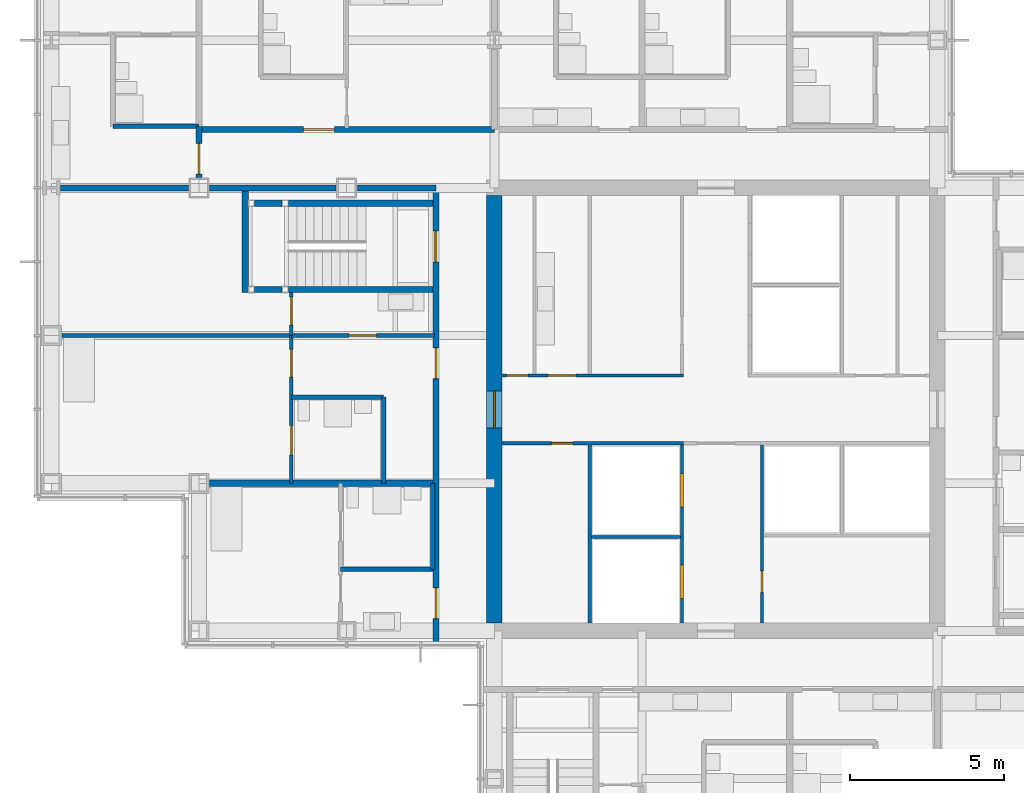
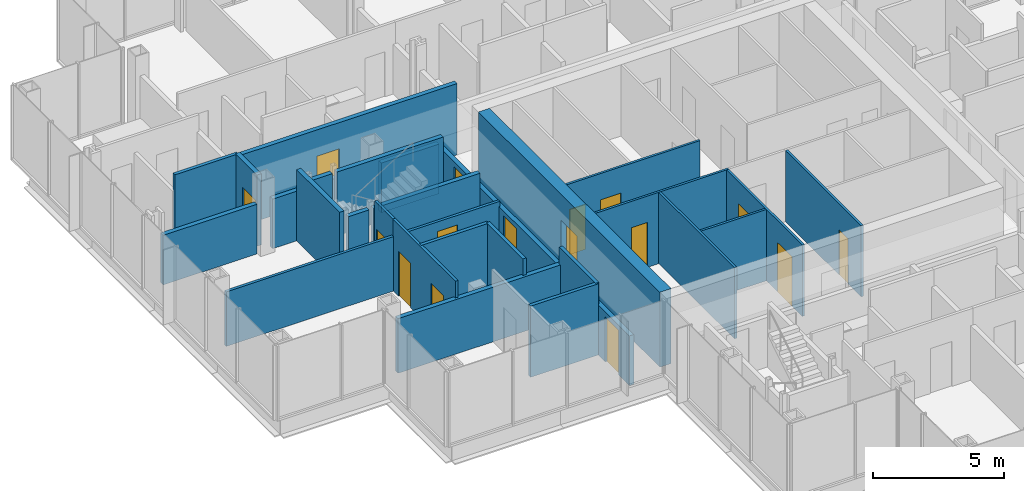
# One storey, part 14 of 20: 28 walls, 16 doors, 16 openings.
"""IFC4 building model written with IfcOpenShell, lengths in metres."""

from ifc_helpers import new_model, si_unit, direction, frame, frame_2d, origin, place, context, subcontext, project, spatial, rectangle, extrude, material, layer, layer_set, type_object, element, fill, save


model = new_model("IFC4")

# Units and contexts
model_context = context("Model", 3, precision=1e-05, world=origin(), true_north=direction((0.0, 1.0)))
body_context = subcontext(model_context, "Body", "Model", "MODEL_VIEW")
ifc_project = project(units=[si_unit("LENGTHUNIT", "METRE"), si_unit("AREAUNIT", "SQUARE_METRE"), si_unit("VOLUMEUNIT", "CUBIC_METRE"), si_unit("PLANEANGLEUNIT", "RADIAN"), si_unit("MASSUNIT", "GRAM", prefix="KILO")], contexts=[model_context])

# Site, building, storey
site_placement = place(None, origin())
site = spatial("IfcSite", under=ifc_project, at=site_placement, CompositionType="ELEMENT")
building_placement = place(site_placement, origin())
building = spatial("IfcBuilding", under=site, at=building_placement, Name="Kvirike Care Tower", CompositionType="ELEMENT")
storey_placement = place(building_placement, frame((0.0, 0.0, 94.5)))
storey = spatial("IfcBuildingStorey", under=building, at=storey_placement, Name="L25", CompositionType="ELEMENT", Elevation=94.5)

# Walls
ifc_material_1 = material(Name="Moisture-resistant board partition", Category="gypsum")
ifc_layer_1 = layer(ifc_material_1, 0.14990234375)
ifc_layer_set_1 = layer_set([ifc_layer_1], Name="BATHROOM WALL 150")
wall_type_1 = type_object("IfcWallType", Name="BATHROOM WALL 150", PredefinedType="PARTITIONING", material=ifc_layer_set_1)
wall_1_placement = place(storey_placement, frame((7.800048828125, 36.39990234375, 0.0), z_axis=(0.0, 0.0, 1.0), x_axis=(1.0, 0.0, 0.0)))
element("IfcWall", 1, at=wall_1_placement, inside=storey, type_object=wall_type_1, Name="Bathroom Wall 150 L25", PredefinedType="PARTITIONING", context=body_context, shape_type="SweptSolid", body=[
    extrude(rectangle(XDim=3.0, YDim=0.14990234375, at=frame_2d((1.5, 0.0))), origin(), (0.0, 0.0, 1.0), 3.330078125),
])
wall_2_placement = place(storey_placement, frame((10.800048828125, 36.39990234375, 0.0), z_axis=(0.0, 0.0, 1.0), x_axis=(0.0, -1.0, 0.0)))
element("IfcWall", 2, at=wall_2_placement, inside=storey, type_object=wall_type_1, Name="Bathroom Wall 150 L25", PredefinedType="PARTITIONING", context=body_context, shape_type="SweptSolid", body=[
    extrude(rectangle(XDim=2.7998046875, YDim=0.14990234375, at=frame_2d((1.39990234375, 0.0))), origin(), (0.0, 0.0, 1.0), 3.330078125),
])
wall_3_placement = place(storey_placement, frame((9.39990234375, 30.800048828125, 0.0), z_axis=(0.0, 0.0, 1.0), x_axis=(1.0, 0.0, 0.0)))
element("IfcWall", 3, at=wall_3_placement, inside=storey, type_object=wall_type_1, Name="Bathroom Wall 150 L25", PredefinedType="PARTITIONING", context=body_context, shape_type="SweptSolid", body=[
    extrude(rectangle(XDim=3.0, YDim=0.14990234375, at=frame_2d((1.5, 0.0))), origin(), (0.0, 0.0, 1.0), 3.330078125),
])
for number, where, z_axis, x_axis, name in (
    (4, (12.39990234375, 33.60009765625, 0.0), (0.0, 0.0, 1.0), (0.0, -1.0, 0.0), "Bathroom Wall 150 L25"),
    (5, (4.800048828125, 45.199951171875, 0.0), (0.0, 0.0, 1.0), (-1.0, 0.0, 0.0), "Bathroom Wall 150 L25"),
):
    element("IfcWall", number, at=place(storey_placement, frame(where, z_axis=z_axis, x_axis=x_axis)), inside=storey, type_object=wall_type_1, Name=name, PredefinedType="PARTITIONING", context=body_context, shape_type="SweptSolid", body=[
        extrude(rectangle(XDim=2.800048828125, YDim=0.14990234375, at=frame_2d((1.39990234375, 0.0))), origin(), (0.0, 0.0, 1.0), 3.330078125),
    ])

# Wall, opening, door
ifc_material_2 = material(Name="Concrete C50/60", Category="concrete")
ifc_layer_2 = layer(ifc_material_2, 0.5)
ifc_layer_set_2 = layer_set([ifc_layer_2], Name="CORE WALL 500 C50-60")
wall_type_2 = type_object("IfcWallType", Name="CORE WALL 500 C50-60", PredefinedType="SHEAR", material=ifc_layer_set_2)
wall_4_placement = place(storey_placement, frame((14.39990234375, 42.949951171875, -0.169921875), z_axis=(0.0, 0.0, 1.0), x_axis=(0.0, -1.0, 0.0)))
wall_4 = element("IfcWall", 6, at=wall_4_placement, inside=storey, type_object=wall_type_2, Name="Core wall W L25", PredefinedType="SHEAR", context=body_context, shape_type="SweptSolid", body=[
    extrude(rectangle(XDim=13.89990234375, YDim=0.5, at=frame_2d((6.949951171875, 0.0))), origin(), (0.0, 0.0, 1.0), 3.5),
])
opening_1_placement = place(wall_4_placement, frame((6.35009765625, 0.0, 0.169921875)))
opening_1 = element("IfcOpeningElement", 7, at=opening_1_placement, cuts=wall_4, Name="Opening 25-065", PredefinedType="OPENING", context=body_context, shape_type="SweptSolid", body=[
    extrude(rectangle(XDim=1.199951171875, YDim=2.10009765625, at=frame_2d((0.60009765625, 1.050048828125))), frame((0.0, 0.260498046875, 0.0), z_axis=(0.0, -1.0, 0.0), x_axis=(1.0, 0.0, 0.0)), (0.0, 0.0, 1.0), 0.52099609375),
])
ifc_material_3 = material(Name="Timber door set", Category="wood")
door_type_1 = type_object("IfcDoorType", Name="CORE DOOR 1200", OperationType="SINGLE_SWING_LEFT", PredefinedType="DOOR", material=ifc_material_3)
door_1_placement = place(opening_1_placement, origin())
door_1 = element("IfcDoor", 8, at=door_1_placement, inside=storey, type_object=door_type_1, Name="Core door W L25", OperationType="SINGLE_SWING_LEFT", OverallHeight=2.10009765625, OverallWidth=1.199951171875, PredefinedType="DOOR", context=body_context, shape_type="SweptSolid", body=[
    extrude(rectangle(XDim=1.199951171875, YDim=2.10009765625, at=frame_2d((0.60009765625, 1.050048828125))), frame((0.0, 0.02685546875, 0.0), z_axis=(0.0, -1.0, 0.0), x_axis=(1.0, 0.0, 0.0)), (0.0, 0.0, 1.0), 0.053955078125),
])
fill(opening_1, door_1)

# Wall, openings, doors
ifc_material_4 = material(Name="Plasterboard corridor wall", Category="gypsum")
ifc_layer_3 = layer(ifc_material_4, 0.199951171875)
ifc_layer_set_3 = layer_set([ifc_layer_3], Name="CORRIDOR WALL 200")
wall_type_3 = type_object("IfcWallType", Name="CORRIDOR WALL 200", PredefinedType="PARTITIONING", material=ifc_layer_set_3)
wall_5_placement = place(storey_placement, frame((12.5, 43.199951171875, 0.0), z_axis=(0.0, 0.0, 1.0), x_axis=(0.0, -1.0, 0.0)))
wall_5 = element("IfcWall", 9, at=wall_5_placement, inside=storey, type_object=wall_type_3, Name="Corridor Wall 200 L25", PredefinedType="PARTITIONING", context=body_context, shape_type="SweptSolid", body=[
    extrude(rectangle(XDim=14.83984375, YDim=0.199951171875, at=frame_2d((7.419921875, 0.0))), origin(), (0.0, 0.0, 1.0), 2.320068359375),
])
opening_2_placement = place(wall_5_placement, frame((1.39990234375, 0.0, 0.0)))
opening_2 = element("IfcOpeningElement", 10, at=opening_2_placement, cuts=wall_5, Name="Opening 25-007", PredefinedType="OPENING", context=body_context, shape_type="SweptSolid", body=[
    extrude(rectangle(XDim=1.0, YDim=2.10009765625, at=frame_2d((0.5, 1.050048828125))), frame((0.0, 0.110595703125, 0.0), z_axis=(0.0, -1.0, 0.0), x_axis=(1.0, 0.0, 0.0)), (0.0, 0.0, 1.0), 0.220947265625),
])
opening_3_placement = place(wall_5_placement, frame((5.199951171875, 0.0, 0.0)))
opening_3 = element("IfcOpeningElement", 11, at=opening_3_placement, cuts=wall_5, Name="Opening 25-008", PredefinedType="OPENING", context=body_context, shape_type="SweptSolid", body=[
    extrude(rectangle(XDim=1.0, YDim=2.10009765625, at=frame_2d((0.5, 1.050048828125))), frame((0.0, 0.110595703125, 0.0), z_axis=(0.0, -1.0, 0.0), x_axis=(1.0, 0.0, 0.0)), (0.0, 0.0, 1.0), 0.220947265625),
])
opening_4_placement = place(wall_5_placement, frame((13.0, 0.0, 0.0)))
opening_4 = element("IfcOpeningElement", 12, at=opening_4_placement, cuts=wall_5, Name="Opening 25-009", PredefinedType="OPENING", context=body_context, shape_type="SweptSolid", body=[
    extrude(rectangle(XDim=1.0, YDim=2.10009765625, at=frame_2d((0.5, 1.050048828125))), frame((0.0, 0.110595703125, 0.0), z_axis=(0.0, -1.0, 0.0), x_axis=(1.0, 0.0, 0.0)), (0.0, 0.0, 1.0), 0.220947265625),
])
ifc_material_5 = material(Name="Timber door set", Category="wood")
door_type_2 = type_object("IfcDoorType", Name="FLAT ENTRANCE DOOR 1000", OperationType="SINGLE_SWING_LEFT", PredefinedType="DOOR", material=ifc_material_5)
door_2_placement = place(opening_3_placement, frame((1.0, 0.0, 0.0), z_axis=(0.0, 0.0, 1.0), x_axis=(-1.0, 0.0, 0.0)))
door_2 = element("IfcDoor", 13, at=door_2_placement, inside=storey, type_object=door_type_2, Name="Assisted living suite entrance", OperationType="SINGLE_SWING_LEFT", OverallHeight=2.10009765625, OverallWidth=1.0, PredefinedType="DOOR", context=body_context, shape_type="SweptSolid", body=[
    extrude(rectangle(XDim=1.0, YDim=2.10009765625, at=frame_2d((0.5, 1.050048828125))), frame((0.0, 0.02685546875, 0.0), z_axis=(0.0, -1.0, 0.0), x_axis=(1.0, 0.0, 0.0)), (0.0, 0.0, 1.0), 0.053955078125),
])
fill(opening_3, door_2)
door_3_placement = place(opening_4_placement, frame((1.0, 0.0, 0.0), z_axis=(0.0, 0.0, 1.0), x_axis=(-1.0, 0.0, 0.0)))
door_3 = element("IfcDoor", 14, at=door_3_placement, inside=storey, type_object=door_type_2, Name="Assisted living suite entrance", OperationType="SINGLE_SWING_RIGHT", OverallHeight=2.10009765625, OverallWidth=1.0, PredefinedType="DOOR", context=body_context, shape_type="SweptSolid", body=[
    extrude(rectangle(XDim=1.0, YDim=2.10009765625, at=frame_2d((0.5, 1.050048828125))), frame((0.0, 0.02685546875, 0.0), z_axis=(0.0, -1.0, 0.0), x_axis=(1.0, 0.0, 0.0)), (0.0, 0.0, 1.0), 0.053955078125),
])
fill(opening_4, door_3)
ifc_material_6 = material(Name="Timber door set", Category="wood")
door_type_3 = type_object("IfcDoorType", Name="STAIR DOOR 1000", OperationType="SINGLE_SWING_LEFT", PredefinedType="DOOR", material=ifc_material_6)
door_4_placement = place(opening_2_placement, frame((1.0, 0.0, 0.0), z_axis=(0.0, 0.0, 1.0), x_axis=(-1.0, 0.0, 0.0)))
door_4 = element("IfcDoor", 15, at=door_4_placement, inside=storey, type_object=door_type_3, Name="Stair 1 door", OperationType="SINGLE_SWING_RIGHT", OverallHeight=2.10009765625, OverallWidth=1.0, PredefinedType="DOOR", context=body_context, shape_type="SweptSolid", body=[
    extrude(rectangle(XDim=1.0, YDim=2.10009765625, at=frame_2d((0.5, 1.050048828125))), frame((0.0, 0.031982421875, 0.0), z_axis=(0.0, -1.0, 0.0), x_axis=(1.0, 0.0, 0.0)), (0.0, 0.0, 1.0), 0.06396484375),
])
fill(opening_2, door_4)

# Wall, opening, door
wall_6_placement = place(storey_placement, frame((14.39990234375, 45.10009765625, 0.0), z_axis=(0.0, 0.0, 1.0), x_axis=(-1.0, 0.0, 0.0)))
wall_6 = element("IfcWall", 16, at=wall_6_placement, inside=storey, type_object=wall_type_3, Name="Corridor Wall 200 L25", PredefinedType="PARTITIONING", context=body_context, shape_type="SweptSolid", body=[
    extrude(rectangle(XDim=9.599853515625, YDim=0.199951171875, at=frame_2d((4.7998046875, 0.0))), origin(), (0.0, 0.0, 1.0), 3.330078125),
])
opening_5_placement = place(wall_6_placement, frame((5.199951171875, 0.0, 0.0)))
opening_5 = element("IfcOpeningElement", 17, at=opening_5_placement, cuts=wall_6, Name="Opening 25-016", PredefinedType="OPENING", context=body_context, shape_type="SweptSolid", body=[
    extrude(rectangle(XDim=1.0, YDim=2.10009765625, at=frame_2d((0.5, 1.050048828125))), frame((0.0, 0.110595703125, 0.0), z_axis=(0.0, -1.0, 0.0), x_axis=(1.0, 0.0, 0.0)), (0.0, 0.0, 1.0), 0.220947265625),
])
door_5_placement = place(opening_5_placement, frame((1.0, 0.0, 0.0), z_axis=(0.0, 0.0, 1.0), x_axis=(-1.0, 0.0, 0.0)))
door_5 = element("IfcDoor", 18, at=door_5_placement, inside=storey, type_object=door_type_2, Name="Accessible assisted living suite entrance", OperationType="SINGLE_SWING_LEFT", OverallHeight=2.10009765625, OverallWidth=1.0, PredefinedType="DOOR", context=body_context, shape_type="SweptSolid", body=[
    extrude(rectangle(XDim=1.0, YDim=2.10009765625, at=frame_2d((0.5, 1.050048828125))), frame((0.0, 0.02685546875, 0.0), z_axis=(0.0, -1.0, 0.0), x_axis=(1.0, 0.0, 0.0)), (0.0, 0.0, 1.0), 0.053955078125),
])
fill(opening_5, door_5)

wall_7_placement = place(storey_placement, frame((4.800048828125, 45.199951171875, 0.0), z_axis=(0.0, 0.0, 1.0), x_axis=(0.0, -1.0, 0.0)))
wall_7 = element("IfcWall", 19, at=wall_7_placement, inside=storey, type_object=wall_type_3, Name="Corridor Wall 200 L25", PredefinedType="PARTITIONING", context=body_context, shape_type="SweptSolid", body=[
    extrude(rectangle(XDim=1.655029296875, YDim=0.199951171875, at=frame_2d((0.82763671875, 0.0))), origin(), (0.0, 0.0, 1.0), 3.330078125),
])
opening_6_placement = place(wall_7_placement, frame((0.550048828125, 0.0, 0.0)))
opening_6 = element("IfcOpeningElement", 20, at=opening_6_placement, cuts=wall_7, Name="Opening 25-017", PredefinedType="OPENING", context=body_context, shape_type="SweptSolid", body=[
    extrude(rectangle(XDim=1.0, YDim=2.10009765625, at=frame_2d((0.5, 1.050048828125))), frame((0.0, 0.110595703125, 0.0), z_axis=(0.0, -1.0, 0.0), x_axis=(1.0, 0.0, 0.0)), (0.0, 0.0, 1.0), 0.220947265625),
])
door_6_placement = place(opening_6_placement, frame((1.0, 0.0, 0.0), z_axis=(0.0, 0.0, 1.0), x_axis=(-1.0, 0.0, 0.0)))
door_6 = element("IfcDoor", 21, at=door_6_placement, inside=storey, type_object=door_type_2, Name="Assisted living suite entrance", OperationType="SINGLE_SWING_RIGHT", OverallHeight=2.10009765625, OverallWidth=1.0, PredefinedType="DOOR", context=body_context, shape_type="SweptSolid", body=[
    extrude(rectangle(XDim=1.0, YDim=2.10009765625, at=frame_2d((0.5, 1.050048828125))), frame((0.0, 0.02685546875, 0.0), z_axis=(0.0, -1.0, 0.0), x_axis=(1.0, 0.0, 0.0)), (0.0, 0.0, 1.0), 0.053955078125),
])
fill(opening_6, door_6)

ifc_material_7 = material(Name="Plasterboard partition", Category="gypsum")
ifc_layer_4 = layer(ifc_material_7, 0.1201171875)
ifc_layer_set_4 = layer_set([ifc_layer_4], Name="PARTITION 120")
wall_type_4 = type_object("IfcWallType", Name="PARTITION 120", PredefinedType="PARTITIONING", material=ifc_layer_set_4)
wall_8_placement = place(storey_placement, frame((7.800048828125, 38.39990234375, 0.0), z_axis=(0.0, 0.0, 1.0), x_axis=(1.0, 0.0, 0.0)))
wall_8 = element("IfcWall", 22, at=wall_8_placement, inside=storey, type_object=wall_type_4, Name="Partition 120 L25", PredefinedType="PARTITIONING", context=body_context, shape_type="SweptSolid", body=[
    extrude(rectangle(XDim=4.64990234375, YDim=0.1201171875, at=frame_2d((2.324951171875, 0.0))), origin(), (0.0, 0.0, 1.0), 2.550048828125),
])
opening_7_placement = place(wall_8_placement, frame((1.875, 0.0, 0.0)))
opening_7 = element("IfcOpeningElement", 23, at=opening_7_placement, cuts=wall_8, Name="Opening 25-001", PredefinedType="OPENING", context=body_context, shape_type="SweptSolid", body=[
    extrude(rectangle(XDim=0.89990234375, YDim=2.10009765625, at=frame_2d((0.449951171875, 1.050048828125))), frame((0.0, 0.070556640625, 0.0), z_axis=(0.0, -1.0, 0.0), x_axis=(1.0, 0.0, 0.0)), (0.0, 0.0, 1.0), 0.14111328125),
])
ifc_material_8 = material(Name="Timber door set", Category="wood")
door_type_4 = type_object("IfcDoorType", Name="INTERNAL DOOR 900", OperationType="SINGLE_SWING_LEFT", PredefinedType="DOOR", material=ifc_material_8)
door_7_placement = place(opening_7_placement, origin())
door_7 = element("IfcDoor", 24, at=door_7_placement, inside=storey, type_object=door_type_4, Name="Hall door", OperationType="SINGLE_SWING_RIGHT", OverallHeight=2.10009765625, OverallWidth=0.89990234375, PredefinedType="DOOR", context=body_context, shape_type="SweptSolid", body=[
    extrude(rectangle(XDim=0.89990234375, YDim=2.10009765625, at=frame_2d((0.449951171875, 1.050048828125))), frame((0.0, 0.02197265625, 0.0), z_axis=(0.0, -1.0, 0.0), x_axis=(1.0, 0.0, 0.0)), (0.0, 0.0, 1.0), 0.0439453125),
])
fill(opening_7, door_7)

wall_9_placement = place(storey_placement, frame((7.800048828125, 39.800048828125, 0.0), z_axis=(0.0, 0.0, 1.0), x_axis=(0.0, -1.0, 0.0)))
wall_9 = element("IfcWall", 25, at=wall_9_placement, inside=storey, type_object=wall_type_4, Name="Partition 120 L25", PredefinedType="PARTITIONING", context=body_context, shape_type="SweptSolid", body=[
    extrude(rectangle(XDim=1.400146484375, YDim=0.1201171875, at=frame_2d((0.7001953125, 0.0))), origin(), (0.0, 0.0, 1.0), 3.330078125),
])
opening_8_placement = place(wall_9_placement, frame((0.14990234375, 0.0, 0.0)))
opening_8 = element("IfcOpeningElement", 26, at=opening_8_placement, cuts=wall_9, Name="Opening 25-002", PredefinedType="OPENING", context=body_context, shape_type="SweptSolid", body=[
    extrude(rectangle(XDim=0.89990234375, YDim=2.10009765625, at=frame_2d((0.449951171875, 1.050048828125))), frame((0.0, 0.070556640625, 0.0), z_axis=(0.0, -1.0, 0.0), x_axis=(1.0, 0.0, 0.0)), (0.0, 0.0, 1.0), 0.14111328125),
])
door_8_placement = place(opening_8_placement, origin())
door_8 = element("IfcDoor", 27, at=door_8_placement, inside=storey, type_object=door_type_4, Name="Suite sitting room door", OperationType="SINGLE_SWING_RIGHT", OverallHeight=2.10009765625, OverallWidth=0.89990234375, PredefinedType="DOOR", context=body_context, shape_type="SweptSolid", body=[
    extrude(rectangle(XDim=0.89990234375, YDim=2.10009765625, at=frame_2d((0.449951171875, 1.050048828125))), frame((0.0, 0.02197265625, 0.0), z_axis=(0.0, -1.0, 0.0), x_axis=(1.0, 0.0, 0.0)), (0.0, 0.0, 1.0), 0.0439453125),
])
fill(opening_8, door_8)

# Wall, openings, doors
wall_10_placement = place(storey_placement, frame((7.800048828125, 38.39990234375, 0.0), z_axis=(0.0, 0.0, 1.0), x_axis=(0.0, -1.0, 0.0)))
wall_10 = element("IfcWall", 28, at=wall_10_placement, inside=storey, type_object=wall_type_4, Name="Partition 120 L25", PredefinedType="PARTITIONING", context=body_context, shape_type="SweptSolid", body=[
    extrude(rectangle(XDim=4.7998046875, YDim=0.1201171875, at=frame_2d((2.39990234375, 0.0))), origin(), (0.0, 0.0, 1.0), 3.330078125),
])
opening_9_placement = place(wall_10_placement, frame((0.449951171875, 0.0, 0.0)))
opening_9 = element("IfcOpeningElement", 29, at=opening_9_placement, cuts=wall_10, Name="Opening 25-003", PredefinedType="OPENING", context=body_context, shape_type="SweptSolid", body=[
    extrude(rectangle(XDim=0.89990234375, YDim=2.10009765625, at=frame_2d((0.449951171875, 1.050048828125))), frame((0.0, 0.070556640625, 0.0), z_axis=(0.0, -1.0, 0.0), x_axis=(1.0, 0.0, 0.0)), (0.0, 0.0, 1.0), 0.14111328125),
])
opening_10_placement = place(wall_10_placement, frame((2.925048828125, 0.0, 0.0)))
opening_10 = element("IfcOpeningElement", 30, at=opening_10_placement, cuts=wall_10, Name="Opening 25-004", PredefinedType="OPENING", context=body_context, shape_type="SweptSolid", body=[
    extrude(rectangle(XDim=0.949951171875, YDim=2.10009765625, at=frame_2d((0.47509765625, 1.050048828125))), frame((0.0, 0.070556640625, 0.0), z_axis=(0.0, -1.0, 0.0), x_axis=(1.0, 0.0, 0.0)), (0.0, 0.0, 1.0), 0.14111328125),
])
ifc_material_9 = material(Name="Timber door set", Category="wood")
door_type_5 = type_object("IfcDoorType", Name="EN-SUITE SLIDING DOOR 950", OperationType="SLIDING_TO_LEFT", PredefinedType="DOOR", material=ifc_material_9)
door_9_placement = place(opening_10_placement, origin())
door_9 = element("IfcDoor", 31, at=door_9_placement, inside=storey, type_object=door_type_5, Name="En-suite door", OperationType="SLIDING_TO_RIGHT", OverallHeight=2.10009765625, OverallWidth=0.949951171875, PredefinedType="DOOR", context=body_context, shape_type="SweptSolid", body=[
    extrude(rectangle(XDim=0.949951171875, YDim=2.10009765625, at=frame_2d((0.47509765625, 1.050048828125))), frame((0.0, 0.02197265625, 0.0), z_axis=(0.0, -1.0, 0.0), x_axis=(1.0, 0.0, 0.0)), (0.0, 0.0, 1.0), 0.0439453125),
])
fill(opening_10, door_9)
door_10_placement = place(opening_9_placement, origin())
door_10 = element("IfcDoor", 32, at=door_10_placement, inside=storey, type_object=door_type_4, Name="Assisted living suite door", OperationType="SINGLE_SWING_RIGHT", OverallHeight=2.10009765625, OverallWidth=0.89990234375, PredefinedType="DOOR", context=body_context, shape_type="SweptSolid", body=[
    extrude(rectangle(XDim=0.89990234375, YDim=2.10009765625, at=frame_2d((0.449951171875, 1.050048828125))), frame((0.0, 0.02197265625, 0.0), z_axis=(0.0, -1.0, 0.0), x_axis=(1.0, 0.0, 0.0)), (0.0, 0.0, 1.0), 0.0439453125),
])
fill(opening_9, door_10)

# Walls
wall_11_placement = place(storey_placement, frame((0.344970703125, 38.39990234375, 0.0), z_axis=(0.0, 0.0, 1.0), x_axis=(1.0, 0.0, 0.0)))
element("IfcWall", 33, at=wall_11_placement, inside=storey, type_object=wall_type_4, Name="Partition 120 L25", PredefinedType="PARTITIONING", context=body_context, shape_type="SweptSolid", body=[
    extrude(rectangle(XDim=7.455078125, YDim=0.1201171875, at=frame_2d((3.7275390625, 0.0))), origin(), (0.0, 0.0, 1.0), 2.550048828125),
])
ifc_material_10 = material(Name="Plasterboard party wall", Category="gypsum")
ifc_layer_5 = layer(ifc_material_10, 0.199951171875)
ifc_layer_set_5 = layer_set([ifc_layer_5], Name="PARTY WALL 200")
wall_type_5 = type_object("IfcWallType", Name="PARTY WALL 200", PredefinedType="PARTITIONING", material=ifc_layer_set_5)
wall_12_placement = place(storey_placement, frame((5.14501953125, 33.60009765625, 0.0), z_axis=(0.0, 0.0, 1.0), x_axis=(1.0, 0.0, 0.0)))
element("IfcWall", 34, at=wall_12_placement, inside=storey, type_object=wall_type_5, Name="Party Wall 200 L25", PredefinedType="PARTITIONING", context=body_context, shape_type="SweptSolid", body=[
    extrude(rectangle(XDim=7.2548828125, YDim=0.199951171875, at=frame_2d((3.62744140625, 0.0))), origin(), (0.0, 0.0, 1.0), 2.550048828125),
])
wall_13_placement = place(storey_placement, frame((12.5, 43.199951171875, 0.0), z_axis=(0.0, 0.0, 1.0), x_axis=(-1.0, 0.0, 0.0)))
element("IfcWall", 35, at=wall_13_placement, inside=storey, type_object=wall_type_5, Name="Party Wall 200 L25", PredefinedType="PARTITIONING", context=body_context, shape_type="SweptSolid", body=[
    extrude(rectangle(XDim=2.554931640625, YDim=0.199951171875, at=frame_2d((1.27734375, 0.0))), origin(), (0.0, 0.0, 1.0), 2.320068359375),
])
wall_14_placement = place(storey_placement, frame((9.2548828125, 43.199951171875, 0.0), z_axis=(0.0, 0.0, 1.0), x_axis=(-1.0, 0.0, 0.0)))
element("IfcWall", 36, at=wall_14_placement, inside=storey, type_object=wall_type_5, Name="Party Wall 200 L25", PredefinedType="PARTITIONING", context=body_context, shape_type="SweptSolid", body=[
    extrude(rectangle(XDim=4.10986328125, YDim=0.199951171875, at=frame_2d((2.054931640625, 0.0))), origin(), (0.0, 0.0, 1.0), 2.320068359375),
])
wall_15_placement = place(storey_placement, frame((4.455078125, 43.199951171875, 0.0), z_axis=(0.0, 0.0, 1.0), x_axis=(-1.0, 0.0, 0.0)))
element("IfcWall", 37, at=wall_15_placement, inside=storey, type_object=wall_type_5, Name="Party Wall 200 L25", PredefinedType="PARTITIONING", context=body_context, shape_type="SweptSolid", body=[
    extrude(rectangle(XDim=4.150634765625, YDim=0.199951171875, at=frame_2d((2.0751953125, 0.0))), origin(), (0.0, 0.0, 1.0), 2.320068359375),
])

# Wall, openings, doors
ifc_material_11 = material(Name="Gypsum shaft wall system", Category="gypsum")
ifc_layer_6 = layer(ifc_material_11, 0.10009765625)
ifc_layer_set_6 = layer_set([ifc_layer_6], Name="SHAFT WALL 100")
wall_type_6 = type_object("IfcWallType", Name="SHAFT WALL 100", PredefinedType="SOLIDWALL", material=ifc_layer_set_6)
wall_16_placement = place(storey_placement, frame((20.5, 29.050048828125, 0.0), z_axis=(0.0, 0.0, 1.0), x_axis=(0.0, 1.0, 0.0)))
wall_16 = element("IfcWall", 38, at=wall_16_placement, inside=storey, type_object=wall_type_6, Name="Shaft Wall 100 L25", PredefinedType="SOLIDWALL", context=body_context, shape_type="SweptSolid", body=[
    extrude(rectangle(XDim=5.800048828125, YDim=0.10009765625, at=frame_2d((2.89990234375, 0.0))), origin(), (0.0, 0.0, 1.0), 3.330078125),
])
opening_11_placement = place(wall_16_placement, frame((0.800048828125, 0.0, 0.0)))
opening_11 = element("IfcOpeningElement", 39, at=opening_11_placement, cuts=wall_16, Name="Opening 25-052", PredefinedType="OPENING", context=body_context, shape_type="SweptSolid", body=[
    extrude(rectangle(XDim=1.10009765625, YDim=2.300048828125, at=frame_2d((0.550048828125, 1.14990234375))), frame((0.0, 0.060546875, 0.0), z_axis=(0.0, -1.0, 0.0), x_axis=(1.0, 0.0, 0.0)), (0.0, 0.0, 1.0), 0.12109375),
])
opening_12_placement = place(wall_16_placement, frame((3.77490234375, 0.0, 0.0)))
opening_12 = element("IfcOpeningElement", 40, at=opening_12_placement, cuts=wall_16, Name="Opening 25-053", PredefinedType="OPENING", context=body_context, shape_type="SweptSolid", body=[
    extrude(rectangle(XDim=1.10009765625, YDim=2.300048828125, at=frame_2d((0.550048828125, 1.14990234375))), frame((0.0, 0.060546875, 0.0), z_axis=(0.0, -1.0, 0.0), x_axis=(1.0, 0.0, 0.0)), (0.0, 0.0, 1.0), 0.12109375),
])
ifc_material_12 = material(Name="Aluminium door frame", Category="aluminium")
door_type_6 = type_object("IfcDoorType", Name="FIRE-FIGHTING LIFT LANDING DOOR 1100", OperationType="SLIDING_TO_LEFT", PredefinedType="DOOR", material=ifc_material_12)
door_11_placement = place(opening_11_placement, origin())
door_11 = element("IfcDoor", 41, at=door_11_placement, inside=storey, type_object=door_type_6, Name="Lift FF1 landing door", OperationType="SLIDING_TO_LEFT", OverallHeight=2.300048828125, OverallWidth=1.10009765625, PredefinedType="DOOR", context=body_context, shape_type="SweptSolid", body=[
    extrude(rectangle(XDim=1.10009765625, YDim=2.300048828125, at=frame_2d((0.550048828125, 1.14990234375))), frame((0.0, 0.0498046875, 0.0), z_axis=(0.0, -1.0, 0.0), x_axis=(1.0, 0.0, 0.0)), (0.0, 0.0, 1.0), 0.099609375),
])
fill(opening_11, door_11)
door_12_placement = place(opening_12_placement, origin())
door_12 = element("IfcDoor", 42, at=door_12_placement, inside=storey, type_object=door_type_6, Name="Lift FF2 landing door", OperationType="SLIDING_TO_LEFT", OverallHeight=2.300048828125, OverallWidth=1.10009765625, PredefinedType="DOOR", context=body_context, shape_type="SweptSolid", body=[
    extrude(rectangle(XDim=1.10009765625, YDim=2.300048828125, at=frame_2d((0.550048828125, 1.14990234375))), frame((0.0, 0.0498046875, 0.0), z_axis=(0.0, -1.0, 0.0), x_axis=(1.0, 0.0, 0.0)), (0.0, 0.0, 1.0), 0.099609375),
])
fill(opening_12, door_12)

# Wall, opening, door
wall_17_placement = place(storey_placement, frame((23.10009765625, 29.050048828125, 0.0), z_axis=(0.0, 0.0, 1.0), x_axis=(0.0, 1.0, 0.0)))
wall_17 = element("IfcWall", 43, at=wall_17_placement, inside=storey, type_object=wall_type_6, Name="Shaft Wall 100 L25", PredefinedType="SOLIDWALL", context=body_context, shape_type="SweptSolid", body=[
    extrude(rectangle(XDim=5.800048828125, YDim=0.10009765625, at=frame_2d((2.89990234375, 0.0))), origin(), (0.0, 0.0, 1.0), 3.330078125),
])
opening_13_placement = place(wall_17_placement, frame((1.0, 0.0, 0.0)))
opening_13 = element("IfcOpeningElement", 44, at=opening_13_placement, cuts=wall_17, Name="Opening 25-057", PredefinedType="OPENING", context=body_context, shape_type="SweptSolid", body=[
    extrude(rectangle(XDim=0.699951171875, YDim=2.10009765625, at=frame_2d((0.35009765625, 1.050048828125))), frame((0.0, 0.060546875, 0.0), z_axis=(0.0, -1.0, 0.0), x_axis=(1.0, 0.0, 0.0)), (0.0, 0.0, 1.0), 0.12109375),
])
ifc_material_13 = material(Name="Timber door set", Category="wood")
door_type_7 = type_object("IfcDoorType", Name="RISER DOOR 700", OperationType="SINGLE_SWING_LEFT", PredefinedType="DOOR", material=ifc_material_13)
door_13_placement = place(opening_13_placement, origin())
door_13 = element("IfcDoor", 45, at=door_13_placement, inside=storey, type_object=door_type_7, Name="Riser door", OperationType="SINGLE_SWING_RIGHT", OverallHeight=2.10009765625, OverallWidth=0.699951171875, PredefinedType="DOOR", context=body_context, shape_type="SweptSolid", body=[
    extrude(rectangle(XDim=0.699951171875, YDim=2.10009765625, at=frame_2d((0.35009765625, 1.050048828125))), frame((0.0, 0.02685546875, 0.0), z_axis=(0.0, -1.0, 0.0), x_axis=(1.0, 0.0, 0.0)), (0.0, 0.0, 1.0), 0.053955078125),
])
fill(opening_13, door_13)

wall_18_placement = place(storey_placement, frame((14.64990234375, 34.89990234375, 0.0), z_axis=(0.0, 0.0, 1.0), x_axis=(1.0, 0.0, 0.0)))
wall_18 = element("IfcWall", 46, at=wall_18_placement, inside=storey, type_object=wall_type_6, Name="Shaft Wall 100 L25", PredefinedType="SOLIDWALL", context=body_context, shape_type="SweptSolid", body=[
    extrude(rectangle(XDim=5.900146484375, YDim=0.10009765625, at=frame_2d((2.9501953125, 0.0))), origin(), (0.0, 0.0, 1.0), 3.330078125),
])
opening_14_placement = place(wall_18_placement, frame((1.60009765625, 0.0, 0.0)))
opening_14 = element("IfcOpeningElement", 47, at=opening_14_placement, cuts=wall_18, Name="Opening 25-058", PredefinedType="OPENING", context=body_context, shape_type="SweptSolid", body=[
    extrude(rectangle(XDim=0.699951171875, YDim=2.10009765625, at=frame_2d((0.35009765625, 1.050048828125))), frame((0.0, 0.060546875, 0.0), z_axis=(0.0, -1.0, 0.0), x_axis=(1.0, 0.0, 0.0)), (0.0, 0.0, 1.0), 0.12109375),
])
door_14_placement = place(opening_14_placement, frame((0.699951171875, 0.0, 0.0), z_axis=(0.0, 0.0, 1.0), x_axis=(-1.0, 0.0, 0.0)))
door_14 = element("IfcDoor", 48, at=door_14_placement, inside=storey, type_object=door_type_7, Name="Riser door", OperationType="SINGLE_SWING_RIGHT", OverallHeight=2.10009765625, OverallWidth=0.699951171875, PredefinedType="DOOR", context=body_context, shape_type="SweptSolid", body=[
    extrude(rectangle(XDim=0.699951171875, YDim=2.10009765625, at=frame_2d((0.35009765625, 1.050048828125))), frame((0.0, 0.02685546875, 0.0), z_axis=(0.0, -1.0, 0.0), x_axis=(1.0, 0.0, 0.0)), (0.0, 0.0, 1.0), 0.053955078125),
])
fill(opening_14, door_14)

# Wall, openings, doors
wall_19_placement = place(storey_placement, frame((14.64990234375, 37.10009765625, 0.0), z_axis=(0.0, 0.0, 1.0), x_axis=(1.0, 0.0, 0.0)))
wall_19 = element("IfcWall", 49, at=wall_19_placement, inside=storey, type_object=wall_type_6, Name="Shaft Wall 100 L25", PredefinedType="SOLIDWALL", context=body_context, shape_type="SweptSolid", body=[
    extrude(rectangle(XDim=5.900146484375, YDim=0.10009765625, at=frame_2d((2.9501953125, 0.0))), origin(), (0.0, 0.0, 1.0), 3.330078125),
])
opening_15_placement = place(wall_19_placement, frame((0.14990234375, 0.0, 0.0)))
opening_15 = element("IfcOpeningElement", 50, at=opening_15_placement, cuts=wall_19, Name="Opening 25-059", PredefinedType="OPENING", context=body_context, shape_type="SweptSolid", body=[
    extrude(rectangle(XDim=0.699951171875, YDim=2.10009765625, at=frame_2d((0.35009765625, 1.050048828125))), frame((0.0, 0.060546875, 0.0), z_axis=(0.0, -1.0, 0.0), x_axis=(1.0, 0.0, 0.0)), (0.0, 0.0, 1.0), 0.12109375),
])
opening_16_placement = place(wall_19_placement, frame((1.5, 0.0, 0.0)))
opening_16 = element("IfcOpeningElement", 51, at=opening_16_placement, cuts=wall_19, Name="Opening 25-060", PredefinedType="OPENING", context=body_context, shape_type="SweptSolid", body=[
    extrude(rectangle(XDim=0.89990234375, YDim=2.10009765625, at=frame_2d((0.449951171875, 1.050048828125))), frame((0.0, 0.060546875, 0.0), z_axis=(0.0, -1.0, 0.0), x_axis=(1.0, 0.0, 0.0)), (0.0, 0.0, 1.0), 0.12109375),
])
door_15_placement = place(opening_15_placement, origin())
door_15 = element("IfcDoor", 52, at=door_15_placement, inside=storey, type_object=door_type_7, Name="Riser door", OperationType="SINGLE_SWING_LEFT", OverallHeight=2.10009765625, OverallWidth=0.699951171875, PredefinedType="DOOR", context=body_context, shape_type="SweptSolid", body=[
    extrude(rectangle(XDim=0.699951171875, YDim=2.10009765625, at=frame_2d((0.35009765625, 1.050048828125))), frame((0.0, 0.02685546875, 0.0), z_axis=(0.0, -1.0, 0.0), x_axis=(1.0, 0.0, 0.0)), (0.0, 0.0, 1.0), 0.053955078125),
])
fill(opening_15, door_15)
ifc_material_14 = material(Name="Timber door set", Category="wood")
door_type_8 = type_object("IfcDoorType", Name="STORE DOOR 900", OperationType="SINGLE_SWING_LEFT", PredefinedType="DOOR", material=ifc_material_14)
door_16_placement = place(opening_16_placement, origin())
door_16 = element("IfcDoor", 53, at=door_16_placement, inside=storey, type_object=door_type_8, Name="Resident pantry door", OperationType="SINGLE_SWING_LEFT", OverallHeight=2.10009765625, OverallWidth=0.89990234375, PredefinedType="DOOR", context=body_context, shape_type="SweptSolid", body=[
    extrude(rectangle(XDim=0.89990234375, YDim=2.10009765625, at=frame_2d((0.449951171875, 1.050048828125))), frame((0.0, 0.02685546875, 0.0), z_axis=(0.0, -1.0, 0.0), x_axis=(1.0, 0.0, 0.0)), (0.0, 0.0, 1.0), 0.053955078125),
])
fill(opening_16, door_16)

# Walls
wall_20_placement = place(storey_placement, frame((17.5, 29.050048828125, 0.0), z_axis=(0.0, 0.0, 1.0), x_axis=(0.0, 1.0, 0.0)))
element("IfcWall", 54, at=wall_20_placement, inside=storey, type_object=wall_type_6, Name="Shaft Wall 100 L25", PredefinedType="SOLIDWALL", context=body_context, shape_type="SweptSolid", body=[
    extrude(rectangle(XDim=5.800048828125, YDim=0.10009765625, at=frame_2d((2.89990234375, 0.0))), origin(), (0.0, 0.0, 1.0), 3.330078125),
])
wall_21_placement = place(storey_placement, frame((17.550048828125, 31.85009765625, 0.0), z_axis=(0.0, 0.0, 1.0), x_axis=(1.0, 0.0, 0.0)))
element("IfcWall", 55, at=wall_21_placement, inside=storey, type_object=wall_type_6, Name="Shaft Wall 100 L25", PredefinedType="SOLIDWALL", context=body_context, shape_type="SweptSolid", body=[
    extrude(rectangle(XDim=2.89990234375, YDim=0.10009765625, at=frame_2d((1.449951171875, 0.0))), origin(), (0.0, 0.0, 1.0), 3.330078125),
])
ifc_material_15 = material(Name="Concrete C40/50", Category="concrete")
ifc_layer_7 = layer(ifc_material_15, 0.199951171875)
ifc_layer_set_7 = layer_set([ifc_layer_7], Name="STAIR WALL 200")
wall_type_7 = type_object("IfcWallType", Name="STAIR WALL 200", PredefinedType="SOLIDWALL", material=ifc_layer_set_7)
wall_22_placement = place(storey_placement, frame((6.60009765625, 42.699951171875, 0.0), z_axis=(0.0, 0.0, 1.0), x_axis=(1.0, 0.0, 0.0)))
element("IfcWall", 56, at=wall_22_placement, inside=storey, type_object=wall_type_7, Name="Stair Wall 200 L25", PredefinedType="SOLIDWALL", context=body_context, shape_type="SweptSolid", body=[
    extrude(rectangle(XDim=0.89990234375, YDim=0.199951171875, at=frame_2d((0.449951171875, 0.0))), origin(), (0.0, 0.0, 1.0), 2.989990234375),
])
wall_23_placement = place(storey_placement, frame((7.699951171875, 42.699951171875, 0.0), z_axis=(0.0, 0.0, 1.0), x_axis=(1.0, 0.0, 0.0)))
element("IfcWall", 57, at=wall_23_placement, inside=storey, type_object=wall_type_7, Name="Stair Wall 200 L25", PredefinedType="SOLIDWALL", context=body_context, shape_type="SweptSolid", body=[
    extrude(rectangle(XDim=4.699951171875, YDim=0.199951171875, at=frame_2d((2.35009765625, 0.0))), origin(), (0.0, 0.0, 1.0), 2.989990234375),
])
wall_24_placement = place(storey_placement, frame((6.60009765625, 39.89990234375, 0.0), z_axis=(0.0, 0.0, 1.0), x_axis=(1.0, 0.0, 0.0)))
element("IfcWall", 58, at=wall_24_placement, inside=storey, type_object=wall_type_7, Name="Stair Wall 200 L25", PredefinedType="SOLIDWALL", context=body_context, shape_type="SweptSolid", body=[
    extrude(rectangle(XDim=0.89990234375, YDim=0.199951171875, at=frame_2d((0.449951171875, 0.0))), origin(), (0.0, 0.0, 1.0), 2.989990234375),
])
wall_25_placement = place(storey_placement, frame((7.699951171875, 39.89990234375, 0.0), z_axis=(0.0, 0.0, 1.0), x_axis=(1.0, 0.0, 0.0)))
element("IfcWall", 59, at=wall_25_placement, inside=storey, type_object=wall_type_7, Name="Stair Wall 200 L25", PredefinedType="SOLIDWALL", context=body_context, shape_type="SweptSolid", body=[
    extrude(rectangle(XDim=4.699951171875, YDim=0.199951171875, at=frame_2d((2.35009765625, 0.0))), origin(), (0.0, 0.0, 1.0), 2.989990234375),
])
wall_26_placement = place(storey_placement, frame((6.300048828125, 43.10009765625, 0.0), z_axis=(0.0, 0.0, 1.0), x_axis=(0.0, -1.0, 0.0)))
element("IfcWall", 60, at=wall_26_placement, inside=storey, type_object=wall_type_7, Name="Stair Wall 200 L25", PredefinedType="SOLIDWALL", context=body_context, shape_type="SweptSolid", body=[
    extrude(rectangle(XDim=3.300048828125, YDim=0.199951171875, at=frame_2d((1.64990234375, 0.0))), origin(), (0.0, 0.0, 1.0), 3.330078125),
])

save(model, "model.ifc")
